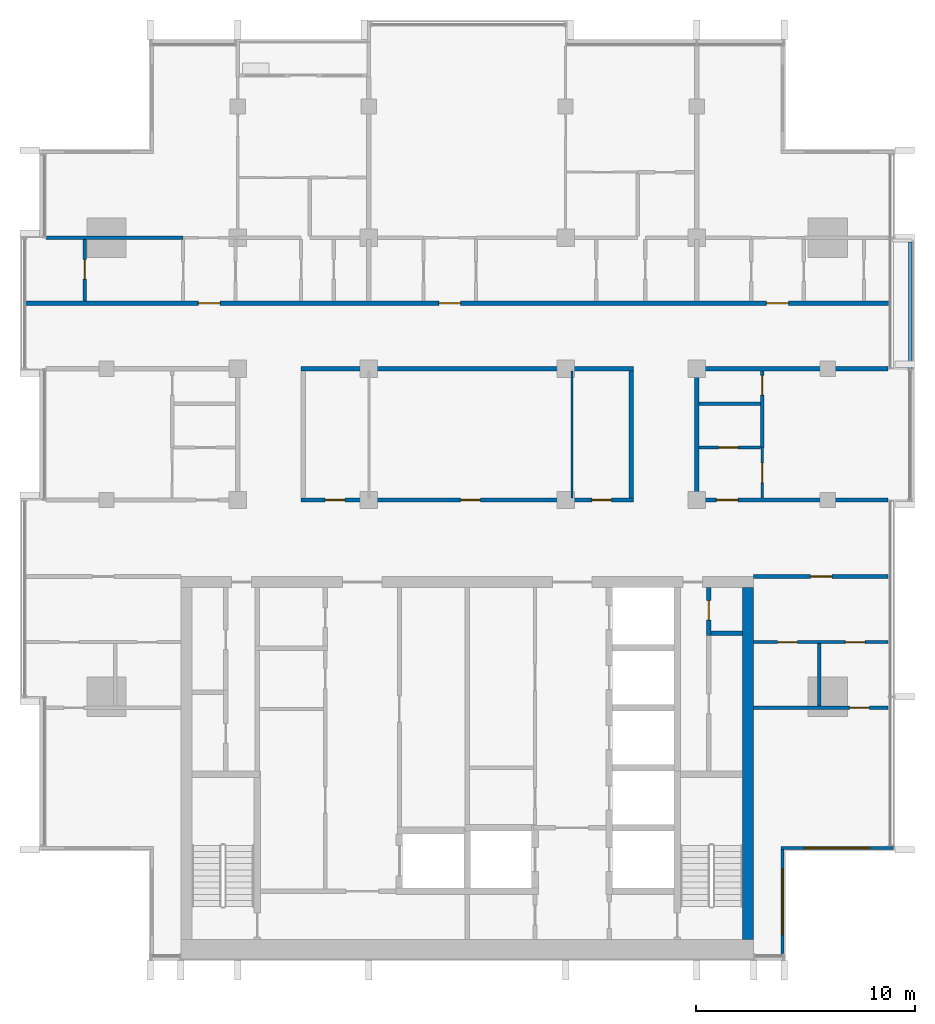
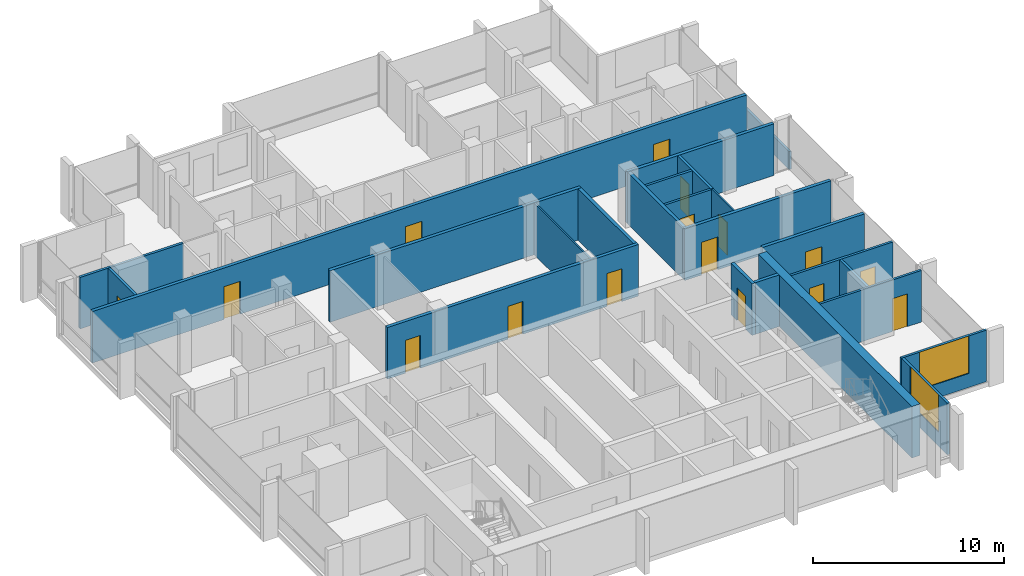
# One storey, part 9 of 16: 24 walls, 16 doors, 2 windows, 18 openings.
"""IFC4 building model written with IfcOpenShell, lengths in metres."""

from ifc_helpers import new_model, si_unit, direction, frame, frame_2d, origin, place, context, subcontext, project, spatial, rectangle, extrude, material, layer, layer_set, type_object, element, fill, save


model = new_model("IFC4")

# Units and contexts
model_context = context("Model", 3, precision=1e-05, world=origin(), true_north=direction((0.0, 1.0)))
body_context = subcontext(model_context, "Body", "Model", "MODEL_VIEW")
ifc_project = project(units=[si_unit("LENGTHUNIT", "METRE"), si_unit("AREAUNIT", "SQUARE_METRE"), si_unit("VOLUMEUNIT", "CUBIC_METRE"), si_unit("PLANEANGLEUNIT", "RADIAN"), si_unit("MASSUNIT", "GRAM", prefix="KILO")], contexts=[model_context])

# Site, building, storey
site_placement = place(None, origin())
site = spatial("IfcSite", under=ifc_project, at=site_placement, CompositionType="ELEMENT")
building_placement = place(site_placement, origin())
building = spatial("IfcBuilding", under=site, at=building_placement, Name="Finial Court Residences", CompositionType="ELEMENT")
storey_placement = place(building_placement, frame((0.0, 0.0, 291.5)))
storey = spatial("IfcBuildingStorey", under=building, at=storey_placement, Name="L74", CompositionType="ELEMENT", Elevation=291.5)

# Wall
ifc_material_1 = material(Name="Concrete C50/60", Category="concrete")
ifc_layer_1 = layer(ifc_material_1, 0.5)
ifc_layer_set_1 = layer_set([ifc_layer_1], Name="Core outer wall 500 Concrete C50/60")
wall_type_1 = type_object("IfcWallType", Name="Core outer wall 500 Concrete C50/60", PredefinedType="SHEAR", material=ifc_layer_set_1)
wall_1_placement = place(storey_placement, frame((12.85009765625, -24.60009765625, 0.0), z_axis=(0.0, 0.0, 1.0), x_axis=(0.0, 1.0, 0.0)))
element("IfcWall", 1, at=wall_1_placement, inside=storey, type_object=wall_type_1, Name="Core outer wall L74-04", PredefinedType="SHEAR", context=body_context, shape_type="SweptSolid", body=[
    extrude(rectangle(XDim=16.10009765625, YDim=0.5, at=frame_2d((8.050048828125, 0.0))), origin(), (0.0, 0.0, 1.0), 3.300048828125),
])

# Wall, opening, door
ifc_material_2 = material(Name="Gypsum board")
ifc_layer_2 = layer(ifc_material_2, 0.02490234375)
ifc_material_3 = material(Name="Acoustic mineral wool in double frame")
ifc_layer_3 = layer(ifc_material_3, 0.14990234375)
ifc_layer_4 = layer(ifc_material_2, 0.02490234375)
ifc_layer_set_2 = layer_set([ifc_layer_2, ifc_layer_3, ifc_layer_4], Name="Corridor wall 200, 1 hour")
wall_type_2 = type_object("IfcWallType", Name="Corridor wall 200, 1 hour", PredefinedType="PARTITIONING", material=ifc_layer_set_2)
wall_2_placement = place(storey_placement, frame((13.10009765625, -8.0, 0.0), z_axis=(0.0, 0.0, 1.0), x_axis=(1.0, 0.0, 0.0)))
wall_2 = element("IfcWall", 2, at=wall_2_placement, inside=storey, type_object=wall_type_2, Name="Partition L74-005", PredefinedType="PARTITIONING", context=body_context, shape_type="SweptSolid", body=[
    extrude(rectangle(XDim=6.162353515625, YDim=0.199951171875, at=frame_2d((3.0810546875, 0.0))), origin(), (0.0, 0.0, 1.0), 3.300048828125),
])
opening_1_placement = place(wall_2_placement, frame((2.60009765625, 0.0, 0.0)))
opening_1 = element("IfcOpeningElement", 3, at=opening_1_placement, cuts=wall_2, Name="Opening L74-D008", PredefinedType="OPENING", context=body_context, shape_type="SweptSolid", body=[
    extrude(rectangle(XDim=1.0, YDim=2.10009765625, at=frame_2d((0.5, 1.050048828125))), frame((0.0, 0.10986328125, 0.0), z_axis=(0.0, -1.0, 0.0), x_axis=(1.0, 0.0, 0.0)), (0.0, 0.0, 1.0), 0.219970703125),
])
ifc_material_4 = material(Name="Timber door leaf in hollow metal frame", Category="wood")
door_type_1 = type_object("IfcDoorType", Name="Fire door set 1000 x 2100, 30 minutes", OperationType="SINGLE_SWING_LEFT", PredefinedType="DOOR", material=ifc_material_4)
door_1_placement = place(opening_1_placement, origin())
door_1 = element("IfcDoor", 4, at=door_1_placement, inside=storey, type_object=door_type_1, Name="Door L74-D008", OperationType="SINGLE_SWING_LEFT", OverallHeight=2.10009765625, OverallWidth=1.0, PredefinedType="DOOR", context=body_context, shape_type="SweptSolid", body=[
    extrude(rectangle(XDim=1.0, YDim=2.10009765625, at=frame_2d((0.5, 1.050048828125))), frame((0.0, 0.02490234375, 0.0), z_axis=(0.0, -1.0, 0.0), x_axis=(1.0, 0.0, 0.0)), (0.0, 0.0, 1.0), 0.050048828125),
])
fill(opening_1, door_1)

# Wall, openings, doors
wall_3_placement = place(storey_placement, frame((-7.60009765625, -4.5, 0.0), z_axis=(0.0, 0.0, 1.0), x_axis=(1.0, 0.0, 0.0)))
wall_3 = element("IfcWall", 5, at=wall_3_placement, inside=storey, type_object=wall_type_2, Name="Partition L74-007", PredefinedType="PARTITIONING", context=body_context, shape_type="SweptSolid", body=[
    extrude(rectangle(XDim=15.2001953125, YDim=0.199951171875, at=frame_2d((7.60009765625, 0.0))), origin(), (0.0, 0.0, 1.0), 3.300048828125),
])
opening_2_placement = place(wall_3_placement, frame((1.10009765625, 0.0, 0.0)))
opening_2 = element("IfcOpeningElement", 6, at=opening_2_placement, cuts=wall_3, Name="Opening L74-D010", PredefinedType="OPENING", context=body_context, shape_type="SweptSolid", body=[
    extrude(rectangle(XDim=0.89990234375, YDim=2.10009765625, at=frame_2d((0.449951171875, 1.050048828125))), frame((0.0, 0.10986328125, 0.0), z_axis=(0.0, -1.0, 0.0), x_axis=(1.0, 0.0, 0.0)), (0.0, 0.0, 1.0), 0.219970703125),
])
opening_3_placement = place(wall_3_placement, frame((7.300048828125, 0.0, 0.0)))
opening_3 = element("IfcOpeningElement", 7, at=opening_3_placement, cuts=wall_3, Name="Opening L74-D011", PredefinedType="OPENING", context=body_context, shape_type="SweptSolid", body=[
    extrude(rectangle(XDim=0.89990234375, YDim=2.10009765625, at=frame_2d((0.449951171875, 1.050048828125))), frame((0.0, 0.10986328125, 0.0), z_axis=(0.0, -1.0, 0.0), x_axis=(1.0, 0.0, 0.0)), (0.0, 0.0, 1.0), 0.219970703125),
])
opening_4_placement = place(wall_3_placement, frame((13.300048828125, 0.0, 0.0)))
opening_4 = element("IfcOpeningElement", 8, at=opening_4_placement, cuts=wall_3, Name="Opening L74-D012", PredefinedType="OPENING", context=body_context, shape_type="SweptSolid", body=[
    extrude(rectangle(XDim=0.89990234375, YDim=2.10009765625, at=frame_2d((0.449951171875, 1.050048828125))), frame((0.0, 0.10986328125, 0.0), z_axis=(0.0, -1.0, 0.0), x_axis=(1.0, 0.0, 0.0)), (0.0, 0.0, 1.0), 0.219970703125),
])
door_type_2 = type_object("IfcDoorType", Name="Fire door set 900 x 2100, 30 minutes", OperationType="SINGLE_SWING_LEFT", PredefinedType="DOOR", material=ifc_material_4)
door_2_placement = place(opening_2_placement, origin())
door_2 = element("IfcDoor", 9, at=door_2_placement, inside=storey, type_object=door_type_2, Name="Door L74-D010", OperationType="SINGLE_SWING_RIGHT", OverallHeight=2.10009765625, OverallWidth=0.89990234375, PredefinedType="DOOR", context=body_context, shape_type="SweptSolid", body=[
    extrude(rectangle(XDim=0.89990234375, YDim=2.10009765625, at=frame_2d((0.449951171875, 1.050048828125))), frame((0.0, 0.02490234375, 0.0), z_axis=(0.0, -1.0, 0.0), x_axis=(1.0, 0.0, 0.0)), (0.0, 0.0, 1.0), 0.050048828125),
])
fill(opening_2, door_2)
door_3_placement = place(opening_3_placement, origin())
door_3 = element("IfcDoor", 10, at=door_3_placement, inside=storey, type_object=door_type_2, Name="Door L74-D011", OperationType="SINGLE_SWING_LEFT", OverallHeight=2.10009765625, OverallWidth=0.89990234375, PredefinedType="DOOR", context=body_context, shape_type="SweptSolid", body=[
    extrude(rectangle(XDim=0.89990234375, YDim=2.10009765625, at=frame_2d((0.449951171875, 1.050048828125))), frame((0.0, 0.02490234375, 0.0), z_axis=(0.0, -1.0, 0.0), x_axis=(1.0, 0.0, 0.0)), (0.0, 0.0, 1.0), 0.050048828125),
])
fill(opening_3, door_3)
door_4_placement = place(opening_4_placement, origin())
door_4 = element("IfcDoor", 11, at=door_4_placement, inside=storey, type_object=door_type_2, Name="Door L74-D012", OperationType="SINGLE_SWING_LEFT", OverallHeight=2.10009765625, OverallWidth=0.89990234375, PredefinedType="DOOR", context=body_context, shape_type="SweptSolid", body=[
    extrude(rectangle(XDim=0.89990234375, YDim=2.10009765625, at=frame_2d((0.449951171875, 1.050048828125))), frame((0.0, 0.02490234375, 0.0), z_axis=(0.0, -1.0, 0.0), x_axis=(1.0, 0.0, 0.0)), (0.0, 0.0, 1.0), 0.050048828125),
])
fill(opening_4, door_4)

# Wall, opening, door
wall_4_placement = place(storey_placement, frame((10.39990234375, -4.5, 0.0), z_axis=(0.0, 0.0, 1.0), x_axis=(1.0, 0.0, 0.0)))
wall_4 = element("IfcWall", 12, at=wall_4_placement, inside=storey, type_object=wall_type_2, Name="Partition L74-008", PredefinedType="PARTITIONING", context=body_context, shape_type="SweptSolid", body=[
    extrude(rectangle(XDim=8.862548828125, YDim=0.199951171875, at=frame_2d((4.43115234375, 0.0))), origin(), (0.0, 0.0, 1.0), 3.300048828125),
])
opening_5_placement = place(wall_4_placement, frame((1.0, 0.0, 0.0)))
opening_5 = element("IfcOpeningElement", 13, at=opening_5_placement, cuts=wall_4, Name="Opening L74-D013", PredefinedType="OPENING", context=body_context, shape_type="SweptSolid", body=[
    extrude(rectangle(XDim=1.0, YDim=2.10009765625, at=frame_2d((0.5, 1.050048828125))), frame((0.0, 0.10986328125, 0.0), z_axis=(0.0, -1.0, 0.0), x_axis=(1.0, 0.0, 0.0)), (0.0, 0.0, 1.0), 0.219970703125),
])
door_5_placement = place(opening_5_placement, origin())
door_5 = element("IfcDoor", 14, at=door_5_placement, inside=storey, type_object=door_type_1, Name="Door L74-D013", OperationType="SINGLE_SWING_RIGHT", OverallHeight=2.10009765625, OverallWidth=1.0, PredefinedType="DOOR", context=body_context, shape_type="SweptSolid", body=[
    extrude(rectangle(XDim=1.0, YDim=2.10009765625, at=frame_2d((0.5, 1.050048828125))), frame((0.0, 0.02490234375, 0.0), z_axis=(0.0, -1.0, 0.0), x_axis=(1.0, 0.0, 0.0)), (0.0, 0.0, 1.0), 0.050048828125),
])
fill(opening_5, door_5)

# Walls
wall_5_placement = place(storey_placement, frame((-7.60009765625, 1.5, 0.0), z_axis=(0.0, 0.0, 1.0), x_axis=(1.0, 0.0, 0.0)))
element("IfcWall", 15, at=wall_5_placement, inside=storey, type_object=wall_type_2, Name="Partition L74-014", PredefinedType="PARTITIONING", context=body_context, shape_type="SweptSolid", body=[
    extrude(rectangle(XDim=15.2001953125, YDim=0.199951171875, at=frame_2d((7.60009765625, 0.0))), origin(), (0.0, 0.0, 1.0), 3.300048828125),
])
wall_6_placement = place(storey_placement, frame((10.39990234375, 1.5, 0.0), z_axis=(0.0, 0.0, 1.0), x_axis=(1.0, 0.0, 0.0)))
element("IfcWall", 16, at=wall_6_placement, inside=storey, type_object=wall_type_2, Name="Partition L74-015", PredefinedType="PARTITIONING", context=body_context, shape_type="SweptSolid", body=[
    extrude(rectangle(XDim=8.862548828125, YDim=0.199951171875, at=frame_2d((4.43115234375, 0.0))), origin(), (0.0, 0.0, 1.0), 3.300048828125),
])

# Wall, openings, doors
wall_7_placement = place(storey_placement, frame((-20.25, 4.5, 0.0), z_axis=(0.0, 0.0, 1.0), x_axis=(1.0, 0.0, 0.0)))
wall_7 = element("IfcWall", 17, at=wall_7_placement, inside=storey, type_object=wall_type_2, Name="Partition L74-016", PredefinedType="PARTITIONING", context=body_context, shape_type="SweptSolid", body=[
    extrude(rectangle(XDim=39.60009765625, YDim=0.199951171875, at=frame_2d((19.800048828125, 0.0))), origin(), (0.0, 0.0, 1.0), 3.300048828125),
])
opening_6_placement = place(wall_7_placement, frame((7.949951171875, 0.0, 0.0)))
opening_6 = element("IfcOpeningElement", 18, at=opening_6_placement, cuts=wall_7, Name="Opening L74-D016", PredefinedType="OPENING", context=body_context, shape_type="SweptSolid", body=[
    extrude(rectangle(XDim=1.0, YDim=2.10009765625, at=frame_2d((0.5, 1.050048828125))), frame((0.0, 0.10986328125, 0.0), z_axis=(0.0, -1.0, 0.0), x_axis=(1.0, 0.0, 0.0)), (0.0, 0.0, 1.0), 0.219970703125),
])
opening_7_placement = place(wall_7_placement, frame((18.949951171875, 0.0, 0.0)))
opening_7 = element("IfcOpeningElement", 19, at=opening_7_placement, cuts=wall_7, Name="Opening L74-D017", PredefinedType="OPENING", context=body_context, shape_type="SweptSolid", body=[
    extrude(rectangle(XDim=1.0, YDim=2.10009765625, at=frame_2d((0.5, 1.050048828125))), frame((0.0, 0.10986328125, 0.0), z_axis=(0.0, -1.0, 0.0), x_axis=(1.0, 0.0, 0.0)), (0.0, 0.0, 1.0), 0.219970703125),
])
opening_8_placement = place(wall_7_placement, frame((33.949951171875, 0.0, 0.0)))
opening_8 = element("IfcOpeningElement", 20, at=opening_8_placement, cuts=wall_7, Name="Opening L74-D018", PredefinedType="OPENING", context=body_context, shape_type="SweptSolid", body=[
    extrude(rectangle(XDim=1.0, YDim=2.10009765625, at=frame_2d((0.5, 1.050048828125))), frame((0.0, 0.10986328125, 0.0), z_axis=(0.0, -1.0, 0.0), x_axis=(1.0, 0.0, 0.0)), (0.0, 0.0, 1.0), 0.219970703125),
])
door_6_placement = place(opening_6_placement, origin())
door_6 = element("IfcDoor", 21, at=door_6_placement, inside=storey, type_object=door_type_1, Name="Door L74-D016", OperationType="SINGLE_SWING_RIGHT", OverallHeight=2.10009765625, OverallWidth=1.0, PredefinedType="DOOR", context=body_context, shape_type="SweptSolid", body=[
    extrude(rectangle(XDim=1.0, YDim=2.10009765625, at=frame_2d((0.5, 1.050048828125))), frame((0.0, 0.02490234375, 0.0), z_axis=(0.0, -1.0, 0.0), x_axis=(1.0, 0.0, 0.0)), (0.0, 0.0, 1.0), 0.050048828125),
])
fill(opening_6, door_6)
door_7_placement = place(opening_7_placement, origin())
door_7 = element("IfcDoor", 22, at=door_7_placement, inside=storey, type_object=door_type_1, Name="Door L74-D017", OperationType="SINGLE_SWING_RIGHT", OverallHeight=2.10009765625, OverallWidth=1.0, PredefinedType="DOOR", context=body_context, shape_type="SweptSolid", body=[
    extrude(rectangle(XDim=1.0, YDim=2.10009765625, at=frame_2d((0.5, 1.050048828125))), frame((0.0, 0.02490234375, 0.0), z_axis=(0.0, -1.0, 0.0), x_axis=(1.0, 0.0, 0.0)), (0.0, 0.0, 1.0), 0.050048828125),
])
fill(opening_7, door_7)
door_8_placement = place(opening_8_placement, origin())
door_8 = element("IfcDoor", 23, at=door_8_placement, inside=storey, type_object=door_type_1, Name="Door L74-D018", OperationType="SINGLE_SWING_LEFT", OverallHeight=2.10009765625, OverallWidth=1.0, PredefinedType="DOOR", context=body_context, shape_type="SweptSolid", body=[
    extrude(rectangle(XDim=1.0, YDim=2.10009765625, at=frame_2d((0.5, 1.050048828125))), frame((0.0, 0.02490234375, 0.0), z_axis=(0.0, -1.0, 0.0), x_axis=(1.0, 0.0, 0.0)), (0.0, 0.0, 1.0), 0.050048828125),
])
fill(opening_8, door_8)

# Walls
for number, where, z_axis, x_axis, name in (
    (24, (7.5, -4.39990234375, 0.0), (0.0, 0.0, 1.0), (0.0, 1.0, 0.0), "Partition L74-050"),
    (25, (10.5, -4.39990234375, 0.0), (0.0, 0.0, 1.0), (0.0, 1.0, 0.0), "Partition L74-053"),
):
    element("IfcWall", number, at=place(storey_placement, frame(where, z_axis=z_axis, x_axis=x_axis)), inside=storey, type_object=wall_type_2, Name=name, PredefinedType="PARTITIONING", context=body_context, shape_type="SweptSolid", body=[
        extrude(rectangle(XDim=5.7998046875, YDim=0.199951171875, at=frame_2d((2.89990234375, 0.0))), origin(), (0.0, 0.0, 1.0), 3.300048828125),
    ])
ifc_layer_5 = layer(ifc_material_2, 0.012451171875)
ifc_material_5 = material(Name="Mineral wool in light-gauge frame")
ifc_layer_6 = layer(ifc_material_5, 0.074951171875)
ifc_layer_7 = layer(ifc_material_2, 0.012451171875)
ifc_layer_set_3 = layer_set([ifc_layer_5, ifc_layer_6, ifc_layer_7], Name="Gypsum board partition 100")
wall_type_3 = type_object("IfcWallType", Name="Gypsum board partition 100", PredefinedType="PARTITIONING", material=ifc_layer_set_3)
wall_8_placement = place(storey_placement, frame((4.800048828125, -4.39990234375, 0.0), z_axis=(0.0, 0.0, 1.0), x_axis=(0.0, 1.0, 0.0)))
element("IfcWall", 26, at=wall_8_placement, inside=storey, type_object=wall_type_3, Name="Partition L74-048", PredefinedType="PARTITIONING", context=body_context, shape_type="SweptSolid", body=[
    extrude(rectangle(XDim=5.7998046875, YDim=0.10009765625, at=frame_2d((2.89990234375, 0.0))), origin(), (0.0, 0.0, 1.0), 3.300048828125),
])

# Wall, opening, door
wall_9_placement = place(storey_placement, frame((13.5, -4.39990234375, 0.0), z_axis=(0.0, 0.0, 1.0), x_axis=(0.0, 1.0, 0.0)))
wall_9 = element("IfcWall", 27, at=wall_9_placement, inside=storey, type_object=wall_type_3, Name="Partition L74-057", PredefinedType="PARTITIONING", context=body_context, shape_type="SweptSolid", body=[
    extrude(rectangle(XDim=2.2998046875, YDim=0.10009765625, at=frame_2d((1.14990234375, 0.0))), origin(), (0.0, 0.0, 1.0), 3.300048828125),
])
opening_9_placement = place(wall_9_placement, frame((0.699951171875, 0.0, 0.0)))
opening_9 = element("IfcOpeningElement", 28, at=opening_9_placement, cuts=wall_9, Name="Opening L74-D040", PredefinedType="OPENING", context=body_context, shape_type="SweptSolid", body=[
    extrude(rectangle(XDim=0.89990234375, YDim=2.10009765625, at=frame_2d((0.449951171875, 1.050048828125))), frame((0.0, 0.06005859375, 0.0), z_axis=(0.0, -1.0, 0.0), x_axis=(1.0, 0.0, 0.0)), (0.0, 0.0, 1.0), 0.1201171875),
])
ifc_material_6 = material(Name="Timber door leaf in timber frame", Category="wood")
door_type_3 = type_object("IfcDoorType", Name="Door set 900 x 2100", OperationType="SINGLE_SWING_LEFT", PredefinedType="DOOR", material=ifc_material_6)
door_9_placement = place(opening_9_placement, origin())
door_9 = element("IfcDoor", 29, at=door_9_placement, inside=storey, type_object=door_type_3, Name="Door L74-D040", OperationType="SINGLE_SWING_RIGHT", OverallHeight=2.10009765625, OverallWidth=0.89990234375, PredefinedType="DOOR", context=body_context, shape_type="SweptSolid", body=[
    extrude(rectangle(XDim=0.89990234375, YDim=2.10009765625, at=frame_2d((0.449951171875, 1.050048828125))), frame((0.0, 0.02490234375, 0.0), z_axis=(0.0, -1.0, 0.0), x_axis=(1.0, 0.0, 0.0)), (0.0, 0.0, 1.0), 0.050048828125),
])
fill(opening_9, door_9)

ifc_material_7 = material(Name="Moisture-resistant gypsum board")
ifc_layer_8 = layer(ifc_material_7, 0.012451171875)
ifc_layer_9 = layer(ifc_material_5, 0.125)
ifc_layer_10 = layer(ifc_material_7, 0.012451171875)
ifc_layer_set_4 = layer_set([ifc_layer_8, ifc_layer_9, ifc_layer_10], Name="Gypsum board wet-area partition 150")
wall_type_4 = type_object("IfcWallType", Name="Gypsum board wet-area partition 150", PredefinedType="PARTITIONING", material=ifc_layer_set_4)
wall_10_placement = place(storey_placement, frame((13.10009765625, -14.0, 0.0), z_axis=(0.0, 0.0, 1.0), x_axis=(1.0, 0.0, 0.0)))
wall_10 = element("IfcWall", 30, at=wall_10_placement, inside=storey, type_object=wall_type_4, Name="Partition L74-001", PredefinedType="PARTITIONING", context=body_context, shape_type="SweptSolid", body=[
    extrude(rectangle(XDim=6.162353515625, YDim=0.14990234375, at=frame_2d((3.0810546875, 0.0))), origin(), (0.0, 0.0, 1.0), 3.300048828125),
])
opening_10_placement = place(wall_10_placement, frame((4.39990234375, 0.0, 0.0)))
opening_10 = element("IfcOpeningElement", 31, at=opening_10_placement, cuts=wall_10, Name="Opening L74-D002", PredefinedType="OPENING", context=body_context, shape_type="SweptSolid", body=[
    extrude(rectangle(XDim=0.89990234375, YDim=2.10009765625, at=frame_2d((0.449951171875, 1.050048828125))), frame((0.0, 0.0849609375, 0.0), z_axis=(0.0, -1.0, 0.0), x_axis=(1.0, 0.0, 0.0)), (0.0, 0.0, 1.0), 0.169921875),
])
door_10_placement = place(opening_10_placement, origin())
door_10 = element("IfcDoor", 32, at=door_10_placement, inside=storey, type_object=door_type_3, Name="Door L74-D002", OperationType="SINGLE_SWING_RIGHT", OverallHeight=2.10009765625, OverallWidth=0.89990234375, PredefinedType="DOOR", context=body_context, shape_type="SweptSolid", body=[
    extrude(rectangle(XDim=0.89990234375, YDim=2.10009765625, at=frame_2d((0.449951171875, 1.050048828125))), frame((0.0, 0.02490234375, 0.0), z_axis=(0.0, -1.0, 0.0), x_axis=(1.0, 0.0, 0.0)), (0.0, 0.0, 1.0), 0.050048828125),
])
fill(opening_10, door_10)

# Wall, openings, doors
wall_11_placement = place(storey_placement, frame((13.10009765625, -11.0, 0.0), z_axis=(0.0, 0.0, 1.0), x_axis=(1.0, 0.0, 0.0)))
wall_11 = element("IfcWall", 33, at=wall_11_placement, inside=storey, type_object=wall_type_4, Name="Partition L74-003", PredefinedType="PARTITIONING", context=body_context, shape_type="SweptSolid", body=[
    extrude(rectangle(XDim=6.162353515625, YDim=0.14990234375, at=frame_2d((3.0810546875, 0.0))), origin(), (0.0, 0.0, 1.0), 3.300048828125),
])
opening_11_placement = place(wall_11_placement, frame((1.10009765625, 0.0, 0.0)))
opening_11 = element("IfcOpeningElement", 34, at=opening_11_placement, cuts=wall_11, Name="Opening L74-D005", PredefinedType="OPENING", context=body_context, shape_type="SweptSolid", body=[
    extrude(rectangle(XDim=0.89990234375, YDim=2.10009765625, at=frame_2d((0.449951171875, 1.050048828125))), frame((0.0, 0.0849609375, 0.0), z_axis=(0.0, -1.0, 0.0), x_axis=(1.0, 0.0, 0.0)), (0.0, 0.0, 1.0), 0.169921875),
])
opening_12_placement = place(wall_11_placement, frame((4.199951171875, 0.0, 0.0)))
opening_12 = element("IfcOpeningElement", 35, at=opening_12_placement, cuts=wall_11, Name="Opening L74-D006", PredefinedType="OPENING", context=body_context, shape_type="SweptSolid", body=[
    extrude(rectangle(XDim=0.89990234375, YDim=2.10009765625, at=frame_2d((0.449951171875, 1.050048828125))), frame((0.0, 0.0849609375, 0.0), z_axis=(0.0, -1.0, 0.0), x_axis=(1.0, 0.0, 0.0)), (0.0, 0.0, 1.0), 0.169921875),
])
door_11_placement = place(opening_11_placement, origin())
door_11 = element("IfcDoor", 36, at=door_11_placement, inside=storey, type_object=door_type_3, Name="Door L74-D005", OperationType="SINGLE_SWING_LEFT", OverallHeight=2.10009765625, OverallWidth=0.89990234375, PredefinedType="DOOR", context=body_context, shape_type="SweptSolid", body=[
    extrude(rectangle(XDim=0.89990234375, YDim=2.10009765625, at=frame_2d((0.449951171875, 1.050048828125))), frame((0.0, 0.02490234375, 0.0), z_axis=(0.0, -1.0, 0.0), x_axis=(1.0, 0.0, 0.0)), (0.0, 0.0, 1.0), 0.050048828125),
])
fill(opening_11, door_11)
door_12_placement = place(opening_12_placement, origin())
door_12 = element("IfcDoor", 37, at=door_12_placement, inside=storey, type_object=door_type_3, Name="Door L74-D006", OperationType="SINGLE_SWING_RIGHT", OverallHeight=2.10009765625, OverallWidth=0.89990234375, PredefinedType="DOOR", context=body_context, shape_type="SweptSolid", body=[
    extrude(rectangle(XDim=0.89990234375, YDim=2.10009765625, at=frame_2d((0.449951171875, 1.050048828125))), frame((0.0, 0.02490234375, 0.0), z_axis=(0.0, -1.0, 0.0), x_axis=(1.0, 0.0, 0.0)), (0.0, 0.0, 1.0), 0.050048828125),
])
fill(opening_12, door_12)

# Wall, opening, door
wall_12_placement = place(storey_placement, frame((10.60009765625, -2.10009765625, 0.0), z_axis=(0.0, 0.0, 1.0), x_axis=(1.0, 0.0, 0.0)))
wall_12 = element("IfcWall", 38, at=wall_12_placement, inside=storey, type_object=wall_type_4, Name="Partition L74-010", PredefinedType="PARTITIONING", context=body_context, shape_type="SweptSolid", body=[
    extrude(rectangle(XDim=2.824951171875, YDim=0.14990234375, at=frame_2d((1.41259765625, 0.0))), origin(), (0.0, 0.0, 1.0), 3.300048828125),
])
opening_13_placement = place(wall_12_placement, frame((0.89990234375, 0.0, 0.0)))
opening_13 = element("IfcOpeningElement", 39, at=opening_13_placement, cuts=wall_12, Name="Opening L74-D015", PredefinedType="OPENING", context=body_context, shape_type="SweptSolid", body=[
    extrude(rectangle(XDim=0.89990234375, YDim=2.10009765625, at=frame_2d((0.449951171875, 1.050048828125))), frame((0.0, 0.0849609375, 0.0), z_axis=(0.0, -1.0, 0.0), x_axis=(1.0, 0.0, 0.0)), (0.0, 0.0, 1.0), 0.169921875),
])
door_13_placement = place(opening_13_placement, origin())
door_13 = element("IfcDoor", 40, at=door_13_placement, inside=storey, type_object=door_type_3, Name="Door L74-D015", OperationType="SINGLE_SWING_LEFT", OverallHeight=2.10009765625, OverallWidth=0.89990234375, PredefinedType="DOOR", context=body_context, shape_type="SweptSolid", body=[
    extrude(rectangle(XDim=0.89990234375, YDim=2.10009765625, at=frame_2d((0.449951171875, 1.050048828125))), frame((0.0, 0.02490234375, 0.0), z_axis=(0.0, -1.0, 0.0), x_axis=(1.0, 0.0, 0.0)), (0.0, 0.0, 1.0), 0.050048828125),
])
fill(opening_13, door_13)

# Walls
wall_13_placement = place(storey_placement, frame((10.60009765625, -0.10009765625, 0.0), z_axis=(0.0, 0.0, 1.0), x_axis=(1.0, 0.0, 0.0)))
element("IfcWall", 41, at=wall_13_placement, inside=storey, type_object=wall_type_4, Name="Partition L74-012", PredefinedType="PARTITIONING", context=body_context, shape_type="SweptSolid", body=[
    extrude(rectangle(XDim=2.824951171875, YDim=0.14990234375, at=frame_2d((1.41259765625, 0.0))), origin(), (0.0, 0.0, 1.0), 3.300048828125),
])
wall_14_placement = place(storey_placement, frame((-19.262451171875, 7.5, 0.0), z_axis=(0.0, 0.0, 1.0), x_axis=(1.0, 0.0, 0.0)))
element("IfcWall", 42, at=wall_14_placement, inside=storey, type_object=wall_type_4, Name="Partition L74-020", PredefinedType="PARTITIONING", context=body_context, shape_type="SweptSolid", body=[
    extrude(rectangle(XDim=6.262451171875, YDim=0.14990234375, at=frame_2d((3.13134765625, 0.0))), origin(), (0.0, 0.0, 1.0), 3.300048828125),
])

# Wall, opening, door
wall_15_placement = place(storey_placement, frame((-17.5, 4.60009765625, 0.0), z_axis=(0.0, 0.0, 1.0), x_axis=(0.0, 1.0, 0.0)))
wall_15 = element("IfcWall", 43, at=wall_15_placement, inside=storey, type_object=wall_type_4, Name="Partition L74-030", PredefinedType="PARTITIONING", context=body_context, shape_type="SweptSolid", body=[
    extrude(rectangle(XDim=2.824951171875, YDim=0.14990234375, at=frame_2d((1.41259765625, 0.0))), origin(), (0.0, 0.0, 1.0), 3.300048828125),
])
opening_14_placement = place(wall_15_placement, frame((1.0, 0.0, 0.0)))
opening_14 = element("IfcOpeningElement", 44, at=opening_14_placement, cuts=wall_15, Name="Opening L74-D026", PredefinedType="OPENING", context=body_context, shape_type="SweptSolid", body=[
    extrude(rectangle(XDim=0.89990234375, YDim=2.10009765625, at=frame_2d((0.449951171875, 1.050048828125))), frame((0.0, 0.0849609375, 0.0), z_axis=(0.0, -1.0, 0.0), x_axis=(1.0, 0.0, 0.0)), (0.0, 0.0, 1.0), 0.169921875),
])
door_14_placement = place(opening_14_placement, origin())
door_14 = element("IfcDoor", 45, at=door_14_placement, inside=storey, type_object=door_type_3, Name="Door L74-D026", OperationType="SINGLE_SWING_LEFT", OverallHeight=2.10009765625, OverallWidth=0.89990234375, PredefinedType="DOOR", context=body_context, shape_type="SweptSolid", body=[
    extrude(rectangle(XDim=0.89990234375, YDim=2.10009765625, at=frame_2d((0.449951171875, 1.050048828125))), frame((0.0, 0.02490234375, 0.0), z_axis=(0.0, -1.0, 0.0), x_axis=(1.0, 0.0, 0.0)), (0.0, 0.0, 1.0), 0.050048828125),
])
fill(opening_14, door_14)

wall_16_placement = place(storey_placement, frame((13.5, -2.10009765625, 0.0), z_axis=(0.0, 0.0, 1.0), x_axis=(0.0, 1.0, 0.0)))
wall_16 = element("IfcWall", 46, at=wall_16_placement, inside=storey, type_object=wall_type_4, Name="Partition L74-058", PredefinedType="PARTITIONING", context=body_context, shape_type="SweptSolid", body=[
    extrude(rectangle(XDim=3.5, YDim=0.14990234375, at=frame_2d((1.75, 0.0))), origin(), (0.0, 0.0, 1.0), 3.300048828125),
])
opening_15_placement = place(wall_16_placement, frame((2.39990234375, 0.0, 0.0)))
opening_15 = element("IfcOpeningElement", 47, at=opening_15_placement, cuts=wall_16, Name="Opening L74-D041", PredefinedType="OPENING", context=body_context, shape_type="SweptSolid", body=[
    extrude(rectangle(XDim=0.89990234375, YDim=2.10009765625, at=frame_2d((0.449951171875, 1.050048828125))), frame((0.0, 0.0849609375, 0.0), z_axis=(0.0, -1.0, 0.0), x_axis=(1.0, 0.0, 0.0)), (0.0, 0.0, 1.0), 0.169921875),
])
door_15_placement = place(opening_15_placement, origin())
door_15 = element("IfcDoor", 48, at=door_15_placement, inside=storey, type_object=door_type_3, Name="Door L74-D041", OperationType="SINGLE_SWING_LEFT", OverallHeight=2.10009765625, OverallWidth=0.89990234375, PredefinedType="DOOR", context=body_context, shape_type="SweptSolid", body=[
    extrude(rectangle(XDim=0.89990234375, YDim=2.10009765625, at=frame_2d((0.449951171875, 1.050048828125))), frame((0.0, 0.02490234375, 0.0), z_axis=(0.0, -1.0, 0.0), x_axis=(1.0, 0.0, 0.0)), (0.0, 0.0, 1.0), 0.050048828125),
])
fill(opening_15, door_15)

# Walls
wall_17_placement = place(storey_placement, frame((16.10009765625, -13.925048828125, 0.0), z_axis=(0.0, 0.0, 1.0), x_axis=(0.0, 1.0, 0.0)))
element("IfcWall", 49, at=wall_17_placement, inside=storey, type_object=wall_type_4, Name="Partition L74-060", PredefinedType="PARTITIONING", context=body_context, shape_type="SweptSolid", body=[
    extrude(rectangle(XDim=2.85009765625, YDim=0.14990234375, at=frame_2d((1.425048828125, 0.0))), origin(), (0.0, 0.0, 1.0), 3.300048828125),
])
ifc_material_8 = material(Name="Concrete C35/45", Category="concrete")
ifc_layer_11 = layer(ifc_material_8, 0.14990234375)
ifc_layer_set_5 = layer_set([ifc_layer_11], Name="Ledge parapet, Concrete C35/45 150")
wall_type_5 = type_object("IfcWallType", Name="Ledge parapet, Concrete C35/45 150", PredefinedType="PARAPET", material=ifc_layer_set_5)
wall_18_placement = place(storey_placement, frame((20.27490234375, 7.300048828125, 0.0), z_axis=(0.0, 0.0, 1.0), x_axis=(0.0, -1.0, 0.0)))
element("IfcWall", 50, at=wall_18_placement, inside=storey, type_object=wall_type_5, Name="E-L74-LED1-P2", PredefinedType="PARAPET", context=body_context, shape_type="SweptSolid", body=[
    extrude(rectangle(XDim=5.8525390625, YDim=0.14990234375, at=frame_2d((2.92626953125, 0.0))), origin(), (0.0, 0.0, 1.0), 1.14990234375),
])

# Wall, opening, window
ifc_material_9 = material(Name="Natural limestone", Category="masonry")
ifc_layer_12 = layer(ifc_material_9, 0.14990234375)
ifc_layer_set_6 = layer_set([ifc_layer_12], Name="Limestone clad wall 150")
wall_type_6 = type_object("IfcWallType", Name="Limestone clad wall 150", PredefinedType="SOLIDWALL", material=ifc_layer_set_6)
wall_19_placement = place(storey_placement, frame((14.425048828125, -20.5, 0.0), z_axis=(0.0, 0.0, 1.0), x_axis=(0.0, -1.0, 0.0)))
wall_19 = element("IfcWall", 51, at=wall_19_placement, inside=storey, type_object=wall_type_6, Name="E-L74-NWE16", PredefinedType="SOLIDWALL", context=body_context, shape_type="SweptSolid", body=[
    extrude(rectangle(XDim=4.762451171875, YDim=0.14990234375, at=frame_2d((2.38134765625, 0.0))), origin(), (0.0, 0.0, 1.0), 3.300048828125),
])
opening_16_placement = place(wall_19_placement, frame((0.88134765625, 0.0, 0.89990234375)))
opening_16 = element("IfcOpeningElement", 52, at=opening_16_placement, cuts=wall_19, Name="Opening WE74-03", PredefinedType="OPENING", context=body_context, shape_type="SweptSolid", body=[
    extrude(rectangle(XDim=3.0, YDim=2.39990234375, at=frame_2d((1.5, 1.199951171875))), frame((0.0, 0.0849609375, 0.0), z_axis=(0.0, -1.0, 0.0), x_axis=(1.0, 0.0, 0.0)), (0.0, 0.0, 1.0), 0.169921875),
])
ifc_material_10 = material(Name="Clear low-e glass", Category="glass")
window_type = type_object("IfcWindowType", Name="Corner window 3000 x 2400", PartitioningType="SINGLE_PANEL", PredefinedType="WINDOW", material=ifc_material_10)
window_1_placement = place(opening_16_placement, origin())
window_1 = element("IfcWindow", 53, at=window_1_placement, inside=storey, type_object=window_type, Name="E-L74-NWE16-W1", OverallHeight=2.39990234375, OverallWidth=3.0, PartitioningType="SINGLE_PANEL", PredefinedType="WINDOW", context=body_context, shape_type="SweptSolid", body=[
    extrude(rectangle(XDim=3.0, YDim=2.39990234375, at=frame_2d((1.5, 1.199951171875))), frame((0.0, 0.030029296875, 0.0), z_axis=(0.0, -1.0, 0.0), x_axis=(1.0, 0.0, 0.0)), (0.0, 0.0, 1.0), 0.06005859375),
])
fill(opening_16, window_1)

wall_20_placement = place(storey_placement, frame((19.5, -20.425048828125, 0.0), z_axis=(0.0, 0.0, 1.0), x_axis=(-1.0, 0.0, 0.0)))
wall_20 = element("IfcWall", 54, at=wall_20_placement, inside=storey, type_object=wall_type_6, Name="E-L74-NWS17", PredefinedType="SOLIDWALL", context=body_context, shape_type="SweptSolid", body=[
    extrude(rectangle(XDim=5.14990234375, YDim=0.14990234375, at=frame_2d((2.574951171875, 0.0))), origin(), (0.0, 0.0, 1.0), 3.300048828125),
])
opening_17_placement = place(wall_20_placement, frame((1.074951171875, 0.0, 0.89990234375)))
opening_17 = element("IfcOpeningElement", 55, at=opening_17_placement, cuts=wall_20, Name="Opening WE74-04", PredefinedType="OPENING", context=body_context, shape_type="SweptSolid", body=[
    extrude(rectangle(XDim=3.0, YDim=2.39990234375, at=frame_2d((1.5, 1.199951171875))), frame((0.0, 0.0849609375, 0.0), z_axis=(0.0, -1.0, 0.0), x_axis=(1.0, 0.0, 0.0)), (0.0, 0.0, 1.0), 0.169921875),
])
window_2_placement = place(opening_17_placement, origin())
window_2 = element("IfcWindow", 56, at=window_2_placement, inside=storey, type_object=window_type, Name="E-L74-NWS17-W1", OverallHeight=2.39990234375, OverallWidth=3.0, PartitioningType="SINGLE_PANEL", PredefinedType="WINDOW", context=body_context, shape_type="SweptSolid", body=[
    extrude(rectangle(XDim=3.0, YDim=2.39990234375, at=frame_2d((1.5, 1.199951171875))), frame((0.0, 0.030029296875, 0.0), z_axis=(0.0, -1.0, 0.0), x_axis=(1.0, 0.0, 0.0)), (0.0, 0.0, 1.0), 0.06005859375),
])
fill(opening_17, window_2)

# Wall
ifc_material_11 = material(Name="Fire-rated gypsum board partition")
ifc_layer_13 = layer(ifc_material_11, 0.199951171875)
ifc_layer_set_7 = layer_set([ifc_layer_13], Name="Riser room wall 200 EI 120")
wall_type_7 = type_object("IfcWallType", Name="Riser room wall 200 EI 120", PredefinedType="PARTITIONING", material=ifc_layer_set_7)
wall_21_placement = place(storey_placement, frame((11.14990234375, -10.60009765625, 0.0), z_axis=(0.0, 0.0, 1.0), x_axis=(1.0, 0.0, 0.0)))
element("IfcWall", 57, at=wall_21_placement, inside=storey, type_object=wall_type_7, Name="Core partition L74-17", PredefinedType="PARTITIONING", context=body_context, shape_type="SweptSolid", body=[
    extrude(rectangle(XDim=1.4501953125, YDim=0.199951171875, at=frame_2d((0.72509765625, 0.0))), origin(), (0.0, 0.0, 1.0), 3.300048828125),
])

# Wall, opening, door
wall_22_placement = place(storey_placement, frame((11.050048828125, -8.5, 0.0), z_axis=(0.0, 0.0, 1.0), x_axis=(0.0, -1.0, 0.0)))
wall_22 = element("IfcWall", 58, at=wall_22_placement, inside=storey, type_object=wall_type_7, Name="Core partition L74-38", PredefinedType="PARTITIONING", context=body_context, shape_type="SweptSolid", body=[
    extrude(rectangle(XDim=2.199951171875, YDim=0.199951171875, at=frame_2d((1.10009765625, 0.0))), origin(), (0.0, 0.0, 1.0), 3.300048828125),
])
opening_18_placement = place(wall_22_placement, frame((0.60009765625, 0.0, 0.0)))
opening_18 = element("IfcOpeningElement", 59, at=opening_18_placement, cuts=wall_22, Name="Opening L74-C08", PredefinedType="OPENING", context=body_context, shape_type="SweptSolid", body=[
    extrude(rectangle(XDim=0.89990234375, YDim=2.10009765625, at=frame_2d((0.449951171875, 1.050048828125))), frame((0.0, 0.10986328125, 0.0), z_axis=(0.0, -1.0, 0.0), x_axis=(1.0, 0.0, 0.0)), (0.0, 0.0, 1.0), 0.219970703125),
])
ifc_material_12 = material(Name="Steel fire door", Category="steel")
door_type_4 = type_object("IfcDoorType", Name="Riser room door 900 x 2100 EI 90", OperationType="NOTDEFINED", PredefinedType="DOOR", material=ifc_material_12)
door_16_placement = place(opening_18_placement, origin())
door_16 = element("IfcDoor", 60, at=door_16_placement, inside=storey, type_object=door_type_4, Name="Riser room door L74-C08", OperationType="SINGLE_SWING_RIGHT", OverallHeight=2.10009765625, OverallWidth=0.89990234375, PredefinedType="DOOR", context=body_context, shape_type="SweptSolid", body=[
    extrude(rectangle(XDim=0.89990234375, YDim=2.10009765625, at=frame_2d((0.449951171875, 1.050048828125))), frame((0.0, 0.02490234375, 0.0), z_axis=(0.0, -1.0, 0.0), x_axis=(1.0, 0.0, 0.0)), (0.0, 0.0, 1.0), 0.050048828125),
])
fill(opening_18, door_16)

save(model, "model.ifc")
